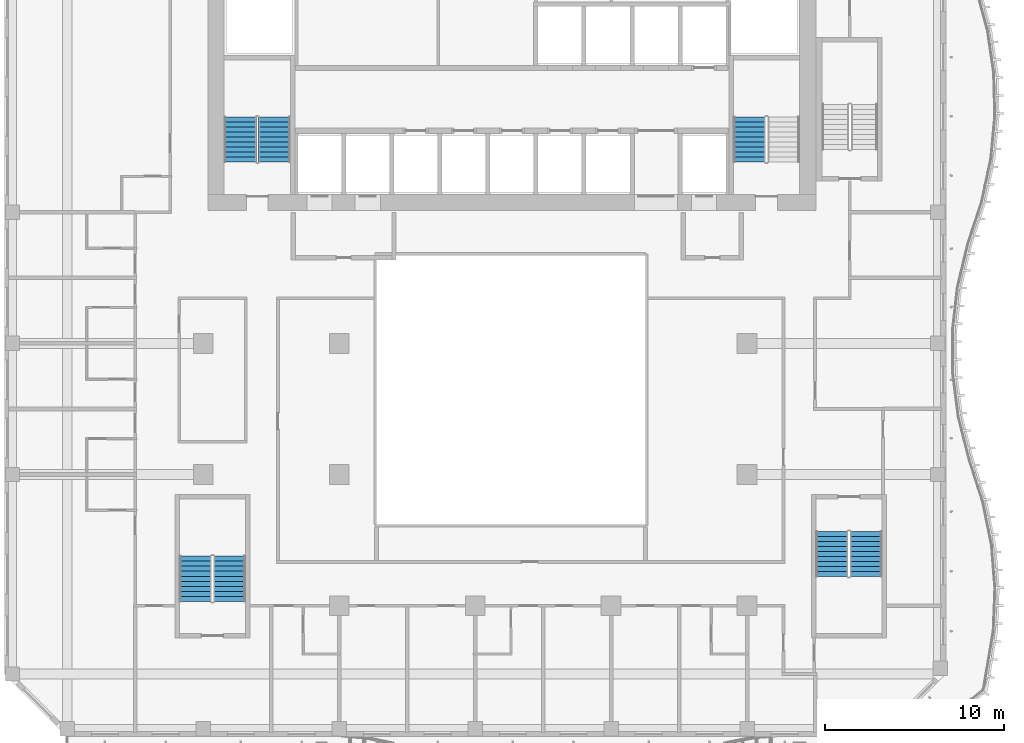
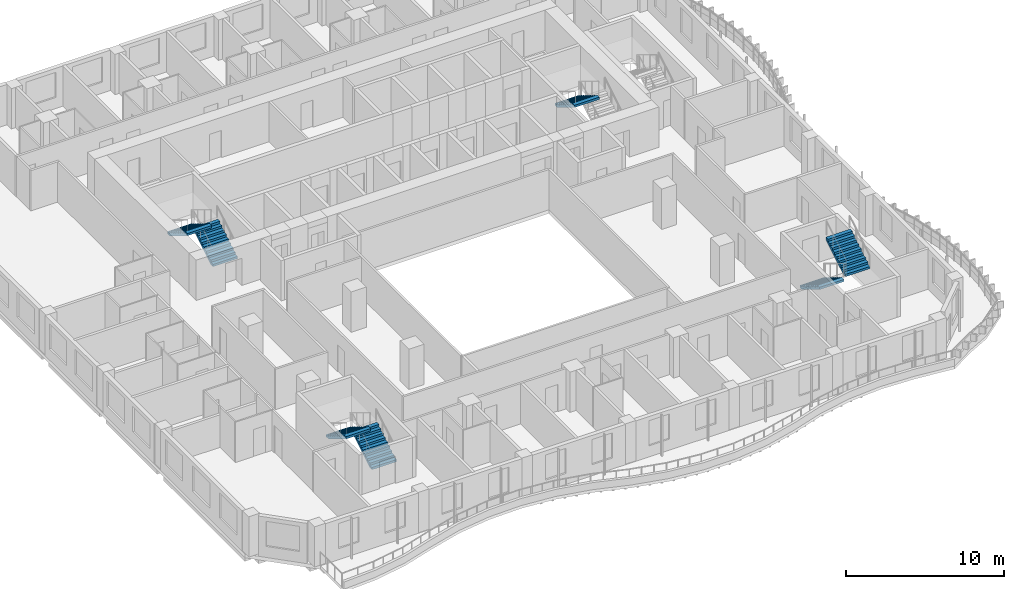
# One storey, part 11 of 21: 7 stair flights, 4 elements without a shape of their own.
"""IFC4 building model written with IfcOpenShell, lengths in metres."""

import ifcopenshell
import ifcopenshell.guid

model = None  # the IFC model being written
_history = None  # IfcOwnerHistory: only IFC2X3 demands one
_inside = {}  # id of a spatial element -> (the spatial element, [elements in it])
_under = {}  # id of a project, library or spatial element -> (it, [spatial elements below it])
_declared = {}  # id of a project -> (the project, [libraries it declares])
_typed = {}  # id of a type object -> (the type object, [elements of that type])
_made_of = {}  # id of a material, layer set ... -> (it, [elements and type objects made of it])


def new_model(schema):
    """Start an empty IFC model of exactly this schema.

    Asked for "IFC4X3", IfcOpenShell would pick the latest addendum, in which some entities
    have other attributes; the version numbers below select the first issue.
    IFC2X3 requires an IfcOwnerHistory on every rooted entity: one is made here for all.
    """
    global model, _history
    if schema == "IFC4X3":
        model = ifcopenshell.file(schema_version=(4, 3, 0, 0))
    else:
        model = ifcopenshell.file(schema=schema)
    _inside.clear()
    _under.clear()
    _declared.clear()
    _typed.clear()
    _made_of.clear()
    _history = None
    if model.schema == "IFC2X3":
        org = make("IfcOrganization", Name="unknown")
        user = make(
            "IfcPersonAndOrganization",
            ThePerson=make("IfcPerson", FamilyName="unknown"),
            TheOrganization=org,
        )
        app = make(
            "IfcApplication",
            ApplicationDeveloper=org,
            Version="unknown",
            ApplicationFullName="unknown",
            ApplicationIdentifier="unknown",
        )
        _history = make(
            "IfcOwnerHistory",
            OwningUser=user,
            OwningApplication=app,
            ChangeAction="ADDED",
            CreationDate=0,
        )
    return model


def make(cls, **values):
    """One entity of the class cls with the attributes given. An attribute that is None is left unset."""
    return model.create_entity(
        cls, **{name: value for name, value in values.items() if value is not None}
    )


def rooted(cls, **values):
    """An entity with a GlobalId (a new one), such as an element, a storey or a relation."""
    return make(cls, GlobalId=ifcopenshell.guid.new(), OwnerHistory=_history, **values)


def si_unit(unit_type, name, prefix=None):
    """IfcSIUnit, for example si_unit("LENGTHUNIT", "METRE", prefix="MILLI")."""
    return make("IfcSIUnit", UnitType=unit_type, Prefix=prefix, Name=name)


def assignment(units):
    """IfcUnitAssignment: the units of a project."""
    return None if units is None else make("IfcUnitAssignment", Units=units)


def point(xyz):
    """IfcCartesianPoint."""
    return None if xyz is None else make("IfcCartesianPoint", Coordinates=xyz)


def direction(xyz):
    """IfcDirection."""
    return None if xyz is None else make("IfcDirection", DirectionRatios=xyz)


def frame(location, z_axis=None, x_axis=None):
    """IfcAxis2Placement3D, a coordinate frame: its origin and axes. An axis left out is left unset."""
    return make(
        "IfcAxis2Placement3D",
        Location=point(location),
        Axis=direction(z_axis),
        RefDirection=direction(x_axis),
    )


def origin():
    """The frame at (0, 0, 0) with its axes left unset."""
    return frame((0.0, 0.0, 0.0))


def place(relative_to, where):
    """IfcLocalPlacement: puts the frame where relative to a parent placement (None: the world)."""
    return make(
        "IfcLocalPlacement", PlacementRelTo=relative_to, RelativePlacement=where
    )


def context(
    kind, dimensions, precision=None, world=None, true_north=None, identifier=None
):
    """IfcGeometricRepresentationContext, for example the 3D "Model" context."""
    return make(
        "IfcGeometricRepresentationContext",
        ContextIdentifier=identifier,
        ContextType=kind,
        CoordinateSpaceDimension=dimensions,
        Precision=precision,
        WorldCoordinateSystem=world,
        TrueNorth=true_north,
    )


def subcontext(parent, identifier, kind, view, scale=None):
    """IfcGeometricRepresentationSubContext, for example "Body" below "Model"."""
    return make(
        "IfcGeometricRepresentationSubContext",
        ContextIdentifier=identifier,
        ContextType=kind,
        ParentContext=parent,
        TargetScale=scale,
        TargetView=view,
    )


def project(units=None, contexts=None):
    """IfcProject with its units and contexts."""
    return rooted(
        "IfcProject",
        Name="project",
        RepresentationContexts=contexts,
        UnitsInContext=assignment(units),
    )


def spatial(cls, under=None, at=None, **own):
    """A site, building, storey or space (cls), placed at a placement, below another one or the project."""
    s = rooted(cls, ObjectPlacement=at, **own)
    if under is not None:
        _under.setdefault(under.id(), (under, []))[1].append(s)
    return s


def point_list(points):
    """IfcCartesianPointList2D or 3D."""
    cls = (
        "IfcCartesianPointList2D" if len(points[0]) == 2 else "IfcCartesianPointList3D"
    )
    return make(cls, CoordList=points)


def triangles(points, corners, closed=None, point_numbers=None):
    """IfcTriangulatedFaceSet: each triangle names its three corners, points numbered from 1."""
    return make(
        "IfcTriangulatedFaceSet",
        Coordinates=point_list(points),
        Closed=closed,
        CoordIndex=corners,
        PnIndex=point_numbers,
    )


def shape(context_of_items, identifier, shape_type, items):
    """IfcShapeRepresentation: the items that make up one representation, for example the "Body"."""
    return make(
        "IfcShapeRepresentation",
        ContextOfItems=context_of_items,
        RepresentationIdentifier=identifier,
        RepresentationType=shape_type,
        Items=items,
    )


def source(mapping_origin, context_of_items, identifier, shape_type, items):
    """IfcRepresentationMap: a shape defined once, which mapped items show again and again."""
    return make(
        "IfcRepresentationMap",
        MappingOrigin=mapping_origin,
        MappedRepresentation=shape(context_of_items, identifier, shape_type, items),
    )


def transform(
    local_origin,
    x_axis=None,
    y_axis=None,
    z_axis=None,
    scale=None,
    scale2=None,
    scale3=None,
    uniform=True,
):
    """IfcCartesianTransformationOperator3D, or its non-uniform kind. x_axis, y_axis, z_axis: its Axis1, 2, 3."""
    if uniform:
        return make(
            "IfcCartesianTransformationOperator3D",
            Axis1=direction(x_axis),
            Axis2=direction(y_axis),
            LocalOrigin=point(local_origin),
            Scale=scale,
            Axis3=direction(z_axis),
        )
    return make(
        "IfcCartesianTransformationOperator3DnonUniform",
        Axis1=direction(x_axis),
        Axis2=direction(y_axis),
        LocalOrigin=point(local_origin),
        Scale=scale,
        Axis3=direction(z_axis),
        Scale2=scale2,
        Scale3=scale3,
    )


def mapped(mapping_source, mapping_target):
    """IfcMappedItem: shows the shape of a source again, moved by a transform."""
    return make(
        "IfcMappedItem", MappingSource=mapping_source, MappingTarget=mapping_target
    )


def material(Name=None, Category=None):
    """IfcMaterial."""
    return make("IfcMaterial", Name=Name, Category=Category)


def made_of(thing, what):
    """Note that an element or type object is made of a material, layer set ...; save() writes the relation."""
    if what is not None:
        _made_of.setdefault(what.id(), (what, []))[1].append(thing)
    return thing


def type_object(cls, material=None, **own):
    """A type object (cls), such as IfcWallType, which elements share."""
    return made_of(rooted(cls, **own), material)


def element(
    cls,
    number,
    at=None,
    inside=None,
    cuts=None,
    type_object=None,
    material=None,
    context=None,
    identifier="Body",
    shape_type=None,
    held_by="IfcProductDefinitionShape",
    body=None,
    shapes=None,
    **own,
):
    """One element of the class cls, such as IfcWall. Its Tag is "e" and its number.

    at: its placement. inside: the storey or other place that contains it. cuts: it is an
    opening in that element (IfcRelVoidsElement). A single representation is given by context,
    identifier, shape_type and body (its items); several are given by shapes. held_by: the class
    of the entity that holds the representations. save() writes the other relations.
    """
    e = rooted(cls, Tag="e%d" % number, ObjectPlacement=at, **own)
    if body is not None:
        shapes = [shape(context, identifier, shape_type, body)]
    if shapes is not None:
        e.Representation = make(held_by, Representations=shapes)
    if inside is not None:
        _inside.setdefault(inside.id(), (inside, []))[1].append(e)
    if cuts is not None:
        rooted(
            "IfcRelVoidsElement", RelatingBuildingElement=cuts, RelatedOpeningElement=e
        )
    if type_object is not None:
        _typed.setdefault(type_object.id(), (type_object, []))[1].append(e)
    return made_of(e, material)


def aggregate(whole, parts):
    """IfcRelAggregates: a whole, such as a stair, and the parts it consists of."""
    return rooted("IfcRelAggregates", RelatingObject=whole, RelatedObjects=parts)


def save(model, path):
    """Write the relations noted so far, then the file.

    IfcRelAggregates (storeys below a building ...), IfcRelContainedInSpatialStructure (elements
    in a storey), IfcRelDefinesByType, IfcRelAssociatesMaterial and IfcRelDeclares: one each for
    every whole, place, type object, material and project.
    """
    for whole, parts in _under.values():
        aggregate(whole, parts)
    for where, things in _inside.values():
        rooted(
            "IfcRelContainedInSpatialStructure",
            RelatedElements=things,
            RelatingStructure=where,
        )
    for kind, things in _typed.values():
        rooted("IfcRelDefinesByType", RelatedObjects=things, RelatingType=kind)
    for what, things in _made_of.values():
        rooted("IfcRelAssociatesMaterial", RelatedObjects=things, RelatingMaterial=what)
    for by, libraries in _declared.values():
        rooted("IfcRelDeclares", RelatingContext=by, RelatedDefinitions=libraries)
    model.write(path)


model = new_model("IFC4")

# Units and contexts
model_context = context("Model", 3, precision=1e-05, world=origin(), true_north=direction((0.0, 1.0)))
body_context = subcontext(model_context, "Body", "Model", "MODEL_VIEW")
ifc_project = project(units=[si_unit("LENGTHUNIT", "METRE"), si_unit("AREAUNIT", "SQUARE_METRE"), si_unit("VOLUMEUNIT", "CUBIC_METRE"), si_unit("PLANEANGLEUNIT", "RADIAN"), si_unit("MASSUNIT", "GRAM", prefix="KILO")], contexts=[model_context])

# Site, building, storey
site_placement = place(None, origin())
site = spatial("IfcSite", under=ifc_project, at=site_placement, CompositionType="ELEMENT")
building_placement = place(site_placement, origin())
building = spatial("IfcBuilding", under=site, at=building_placement, Name="Kilnfold Tower and Market Hall", CompositionType="ELEMENT")
storey_placement = place(building_placement, frame((0.0, 0.0, 147.300048828125)))
storey = spatial("IfcBuildingStorey", under=building, at=storey_placement, Name="L33", CompositionType="ELEMENT", Elevation=147.300048828125)

# Stair, stair flights
ifc_material_1 = material(Name="Concrete C40/50", Category="concrete")
stair_type = type_object("IfcStairType", Name="CORE STAIR 1800", PredefinedType="HALF_TURN_STAIR", material=ifc_material_1)
stair_1_placement = place(storey_placement, origin())
stair_1 = element("IfcStair", 1, at=stair_1_placement, inside=storey, type_object=stair_type, Name="L33 ST1", PredefinedType="HALF_TURN_STAIR")
ifc_material_2 = material(Name="Concrete C40/50", Category="concrete")
stair_flight_type = type_object("IfcStairFlightType", Name="CORE STAIR FLIGHT 1800", PredefinedType="STRAIGHT", material=ifc_material_2)
shared_shape = source(origin(), body_context, "Body", "Tessellation", [
    triangles([(0.0, 0.89990234375, 0.0), (0.0, 0.78759765625, 0.0), (0.0, 0.675048828125, 0.0), (0.0, 0.5625, 0.0), (0.0, 0.449951171875, 0.0), (0.0, 0.33740234375, 0.0), (0.0, 0.22509765625, 0.0), (0.0, 0.112548828125, 0.0), (0.0, 0.0, 0.0), (0.0, -0.112548828125, 0.0), (0.0, -0.22509765625, 0.0), (0.0, -0.33740234375, 0.0), (0.0, -0.449951171875, 0.0), (0.0, -0.5625, 0.0), (0.0, -0.675048828125, 0.0), (0.0, -0.78759765625, 0.0), (0.0, -0.89990234375, 0.0), (0.0, 0.89990234375, 0.169921875), (0.0, 0.78759765625, 0.169921875), (0.0, 0.675048828125, 0.169921875), (0.0, 0.5625, 0.169921875), (0.0, 0.449951171875, 0.169921875), (0.0, 0.33740234375, 0.169921875), (0.0, 0.22509765625, 0.169921875), (0.0, 0.112548828125, 0.169921875), (0.0, 0.0, 0.169921875), (0.0, -0.112548828125, 0.169921875), (0.0, -0.22509765625, 0.169921875), (0.0, -0.33740234375, 0.169921875), (0.0, -0.449951171875, 0.169921875), (0.0, -0.5625, 0.169921875), (0.0, -0.675048828125, 0.169921875), (0.0, -0.78759765625, 0.169921875), (0.0, -0.89990234375, 0.169921875), (0.280029296875, 0.89990234375, 0.169921875), (0.280029296875, 0.78759765625, 0.169921875), (0.280029296875, 0.675048828125, 0.169921875), (0.280029296875, 0.5625, 0.169921875), (0.280029296875, 0.449951171875, 0.169921875), (0.280029296875, 0.33740234375, 0.169921875), (0.280029296875, 0.22509765625, 0.169921875), (0.280029296875, 0.112548828125, 0.169921875), (0.280029296875, 0.0, 0.169921875), (0.280029296875, -0.112548828125, 0.169921875), (0.280029296875, -0.22509765625, 0.169921875), (0.280029296875, -0.33740234375, 0.169921875), (0.280029296875, -0.449951171875, 0.169921875), (0.280029296875, -0.5625, 0.169921875), (0.280029296875, -0.675048828125, 0.169921875), (0.280029296875, -0.78759765625, 0.169921875), (0.280029296875, -0.89990234375, 0.169921875), (0.280029296875, 0.89990234375, 0.340087890625), (0.280029296875, 0.78759765625, 0.340087890625), (0.280029296875, 0.675048828125, 0.340087890625), (0.280029296875, 0.5625, 0.340087890625), (0.280029296875, 0.449951171875, 0.340087890625), (0.280029296875, 0.33740234375, 0.340087890625), (0.280029296875, 0.22509765625, 0.340087890625), (0.280029296875, 0.112548828125, 0.340087890625), (0.280029296875, 0.0, 0.340087890625), (0.280029296875, -0.112548828125, 0.340087890625), (0.280029296875, -0.22509765625, 0.340087890625), (0.280029296875, -0.33740234375, 0.340087890625), (0.280029296875, -0.449951171875, 0.340087890625), (0.280029296875, -0.5625, 0.340087890625), (0.280029296875, -0.675048828125, 0.340087890625), (0.280029296875, -0.78759765625, 0.340087890625), (0.280029296875, -0.89990234375, 0.340087890625), (0.56005859375, 0.89990234375, 0.340087890625), (0.56005859375, 0.78759765625, 0.340087890625), (0.56005859375, 0.675048828125, 0.340087890625), (0.56005859375, 0.5625, 0.340087890625), (0.56005859375, 0.449951171875, 0.340087890625), (0.56005859375, 0.33740234375, 0.340087890625), (0.56005859375, 0.22509765625, 0.340087890625), (0.56005859375, 0.112548828125, 0.340087890625), (0.56005859375, 0.0, 0.340087890625), (0.56005859375, -0.112548828125, 0.340087890625), (0.56005859375, -0.22509765625, 0.340087890625), (0.56005859375, -0.33740234375, 0.340087890625), (0.56005859375, -0.449951171875, 0.340087890625), (0.56005859375, -0.5625, 0.340087890625), (0.56005859375, -0.675048828125, 0.340087890625), (0.56005859375, -0.78759765625, 0.340087890625), (0.56005859375, -0.89990234375, 0.340087890625), (0.56005859375, 0.89990234375, 0.510009765625), (0.56005859375, 0.78759765625, 0.510009765625), (0.56005859375, 0.675048828125, 0.510009765625), (0.56005859375, 0.5625, 0.510009765625), (0.56005859375, 0.449951171875, 0.510009765625), (0.56005859375, 0.33740234375, 0.510009765625), (0.56005859375, 0.22509765625, 0.510009765625), (0.56005859375, 0.112548828125, 0.510009765625), (0.56005859375, 0.0, 0.510009765625), (0.56005859375, -0.112548828125, 0.510009765625), (0.56005859375, -0.22509765625, 0.510009765625), (0.56005859375, -0.33740234375, 0.510009765625), (0.56005859375, -0.449951171875, 0.510009765625), (0.56005859375, -0.5625, 0.510009765625), (0.56005859375, -0.675048828125, 0.510009765625), (0.56005859375, -0.78759765625, 0.510009765625), (0.56005859375, -0.89990234375, 0.510009765625), (0.840087890625, 0.89990234375, 0.510009765625), (0.840087890625, 0.78759765625, 0.510009765625), (0.840087890625, 0.675048828125, 0.510009765625), (0.840087890625, 0.5625, 0.510009765625), (0.840087890625, 0.449951171875, 0.510009765625), (0.840087890625, 0.33740234375, 0.510009765625), (0.840087890625, 0.22509765625, 0.510009765625), (0.840087890625, 0.112548828125, 0.510009765625), (0.840087890625, 0.0, 0.510009765625), (0.840087890625, -0.112548828125, 0.510009765625), (0.840087890625, -0.22509765625, 0.510009765625), (0.840087890625, -0.33740234375, 0.510009765625), (0.840087890625, -0.449951171875, 0.510009765625), (0.840087890625, -0.5625, 0.510009765625), (0.840087890625, -0.675048828125, 0.510009765625), (0.840087890625, -0.78759765625, 0.510009765625), (0.840087890625, -0.89990234375, 0.510009765625), (0.840087890625, 0.89990234375, 0.679931640625), (0.840087890625, 0.78759765625, 0.679931640625), (0.840087890625, 0.675048828125, 0.679931640625), (0.840087890625, 0.5625, 0.679931640625), (0.840087890625, 0.449951171875, 0.679931640625), (0.840087890625, 0.33740234375, 0.679931640625), (0.840087890625, 0.22509765625, 0.679931640625), (0.840087890625, 0.112548828125, 0.679931640625), (0.840087890625, 0.0, 0.679931640625), (0.840087890625, -0.112548828125, 0.679931640625), (0.840087890625, -0.22509765625, 0.679931640625), (0.840087890625, -0.33740234375, 0.679931640625), (0.840087890625, -0.449951171875, 0.679931640625), (0.840087890625, -0.5625, 0.679931640625), (0.840087890625, -0.675048828125, 0.679931640625), (0.840087890625, -0.78759765625, 0.679931640625), (0.840087890625, -0.89990234375, 0.679931640625), (1.1201171875, 0.89990234375, 0.679931640625), (1.1201171875, 0.78759765625, 0.679931640625), (1.1201171875, 0.675048828125, 0.679931640625), (1.1201171875, 0.5625, 0.679931640625), (1.1201171875, 0.449951171875, 0.679931640625), (1.1201171875, 0.33740234375, 0.679931640625), (1.1201171875, 0.22509765625, 0.679931640625), (1.1201171875, 0.112548828125, 0.679931640625), (1.1201171875, 0.0, 0.679931640625), (1.1201171875, -0.112548828125, 0.679931640625), (1.1201171875, -0.22509765625, 0.679931640625), (1.1201171875, -0.33740234375, 0.679931640625), (1.1201171875, -0.449951171875, 0.679931640625), (1.1201171875, -0.5625, 0.679931640625), (1.1201171875, -0.675048828125, 0.679931640625), (1.1201171875, -0.78759765625, 0.679931640625), (1.1201171875, -0.89990234375, 0.679931640625), (1.1201171875, 0.89990234375, 0.85009765625), (1.1201171875, 0.78759765625, 0.85009765625), (1.1201171875, 0.675048828125, 0.85009765625), (1.1201171875, 0.5625, 0.85009765625), (1.1201171875, 0.449951171875, 0.85009765625), (1.1201171875, 0.33740234375, 0.85009765625), (1.1201171875, 0.22509765625, 0.85009765625), (1.1201171875, 0.112548828125, 0.85009765625), (1.1201171875, 0.0, 0.85009765625), (1.1201171875, -0.112548828125, 0.85009765625), (1.1201171875, -0.22509765625, 0.85009765625), (1.1201171875, -0.33740234375, 0.85009765625), (1.1201171875, -0.449951171875, 0.85009765625), (1.1201171875, -0.5625, 0.85009765625), (1.1201171875, -0.675048828125, 0.85009765625), (1.1201171875, -0.78759765625, 0.85009765625), (1.1201171875, -0.89990234375, 0.85009765625), (1.39990234375, 0.89990234375, 0.85009765625), (1.39990234375, 0.78759765625, 0.85009765625), (1.39990234375, 0.675048828125, 0.85009765625), (1.39990234375, 0.5625, 0.85009765625), (1.39990234375, 0.449951171875, 0.85009765625), (1.39990234375, 0.33740234375, 0.85009765625), (1.39990234375, 0.22509765625, 0.85009765625), (1.39990234375, 0.112548828125, 0.85009765625), (1.39990234375, 0.0, 0.85009765625), (1.39990234375, -0.112548828125, 0.85009765625), (1.39990234375, -0.22509765625, 0.85009765625), (1.39990234375, -0.33740234375, 0.85009765625), (1.39990234375, -0.449951171875, 0.85009765625), (1.39990234375, -0.5625, 0.85009765625), (1.39990234375, -0.675048828125, 0.85009765625), (1.39990234375, -0.78759765625, 0.85009765625), (1.39990234375, -0.89990234375, 0.85009765625), (1.39990234375, 0.89990234375, 1.02001953125), (1.39990234375, 0.78759765625, 1.02001953125), (1.39990234375, 0.675048828125, 1.02001953125), (1.39990234375, 0.5625, 1.02001953125), (1.39990234375, 0.449951171875, 1.02001953125), (1.39990234375, 0.33740234375, 1.02001953125), (1.39990234375, 0.22509765625, 1.02001953125), (1.39990234375, 0.112548828125, 1.02001953125), (1.39990234375, 0.0, 1.02001953125), (1.39990234375, -0.112548828125, 1.02001953125), (1.39990234375, -0.22509765625, 1.02001953125), (1.39990234375, -0.33740234375, 1.02001953125), (1.39990234375, -0.449951171875, 1.02001953125), (1.39990234375, -0.5625, 1.02001953125), (1.39990234375, -0.675048828125, 1.02001953125), (1.39990234375, -0.78759765625, 1.02001953125), (1.39990234375, -0.89990234375, 1.02001953125), (1.679931640625, 0.89990234375, 1.02001953125), (1.679931640625, 0.78759765625, 1.02001953125), (1.679931640625, 0.675048828125, 1.02001953125), (1.679931640625, 0.5625, 1.02001953125), (1.679931640625, 0.449951171875, 1.02001953125), (1.679931640625, 0.33740234375, 1.02001953125), (1.679931640625, 0.22509765625, 1.02001953125), (1.679931640625, 0.112548828125, 1.02001953125), (1.679931640625, 0.0, 1.02001953125), (1.679931640625, -0.112548828125, 1.02001953125), (1.679931640625, -0.22509765625, 1.02001953125), (1.679931640625, -0.33740234375, 1.02001953125), (1.679931640625, -0.449951171875, 1.02001953125), (1.679931640625, -0.5625, 1.02001953125), (1.679931640625, -0.675048828125, 1.02001953125), (1.679931640625, -0.78759765625, 1.02001953125), (1.679931640625, -0.89990234375, 1.02001953125), (1.679931640625, 0.89990234375, 1.18994140625), (1.679931640625, 0.78759765625, 1.18994140625), (1.679931640625, 0.675048828125, 1.18994140625), (1.679931640625, 0.5625, 1.18994140625), (1.679931640625, 0.449951171875, 1.18994140625), (1.679931640625, 0.33740234375, 1.18994140625), (1.679931640625, 0.22509765625, 1.18994140625), (1.679931640625, 0.112548828125, 1.18994140625), (1.679931640625, 0.0, 1.18994140625), (1.679931640625, -0.112548828125, 1.18994140625), (1.679931640625, -0.22509765625, 1.18994140625), (1.679931640625, -0.33740234375, 1.18994140625), (1.679931640625, -0.449951171875, 1.18994140625), (1.679931640625, -0.5625, 1.18994140625), (1.679931640625, -0.675048828125, 1.18994140625), (1.679931640625, -0.78759765625, 1.18994140625), (1.679931640625, -0.89990234375, 1.18994140625), (1.9599609375, 0.89990234375, 1.18994140625), (1.9599609375, 0.78759765625, 1.18994140625), (1.9599609375, 0.675048828125, 1.18994140625), (1.9599609375, 0.5625, 1.18994140625), (1.9599609375, 0.449951171875, 1.18994140625), (1.9599609375, 0.33740234375, 1.18994140625), (1.9599609375, 0.22509765625, 1.18994140625), (1.9599609375, 0.112548828125, 1.18994140625), (1.9599609375, 0.0, 1.18994140625), (1.9599609375, -0.112548828125, 1.18994140625), (1.9599609375, -0.22509765625, 1.18994140625), (1.9599609375, -0.33740234375, 1.18994140625), (1.9599609375, -0.449951171875, 1.18994140625), (1.9599609375, -0.5625, 1.18994140625), (1.9599609375, -0.675048828125, 1.18994140625), (1.9599609375, -0.78759765625, 1.18994140625), (1.9599609375, -0.89990234375, 1.18994140625), (1.9599609375, 0.89990234375, 1.360107421875), (1.9599609375, 0.78759765625, 1.360107421875), (1.9599609375, 0.675048828125, 1.360107421875), (1.9599609375, 0.5625, 1.360107421875), (1.9599609375, 0.449951171875, 1.360107421875), (1.9599609375, 0.33740234375, 1.360107421875), (1.9599609375, 0.22509765625, 1.360107421875), (1.9599609375, 0.112548828125, 1.360107421875), (1.9599609375, 0.0, 1.360107421875), (1.9599609375, -0.112548828125, 1.360107421875), (1.9599609375, -0.22509765625, 1.360107421875), (1.9599609375, -0.33740234375, 1.360107421875), (1.9599609375, -0.449951171875, 1.360107421875), (1.9599609375, -0.5625, 1.360107421875), (1.9599609375, -0.675048828125, 1.360107421875), (1.9599609375, -0.78759765625, 1.360107421875), (1.9599609375, -0.89990234375, 1.360107421875), (2.239990234375, 0.89990234375, 1.360107421875), (2.239990234375, 0.78759765625, 1.360107421875), (2.239990234375, 0.675048828125, 1.360107421875), (2.239990234375, 0.5625, 1.360107421875), (2.239990234375, 0.449951171875, 1.360107421875), (2.239990234375, 0.33740234375, 1.360107421875), (2.239990234375, 0.22509765625, 1.360107421875), (2.239990234375, 0.112548828125, 1.360107421875), (2.239990234375, 0.0, 1.360107421875), (2.239990234375, -0.112548828125, 1.360107421875), (2.239990234375, -0.22509765625, 1.360107421875), (2.239990234375, -0.33740234375, 1.360107421875), (2.239990234375, -0.449951171875, 1.360107421875), (2.239990234375, -0.5625, 1.360107421875), (2.239990234375, -0.675048828125, 1.360107421875), (2.239990234375, -0.78759765625, 1.360107421875), (2.239990234375, -0.89990234375, 1.360107421875), (2.239990234375, 0.89990234375, 1.530029296875), (2.239990234375, 0.78759765625, 1.530029296875), (2.239990234375, 0.675048828125, 1.530029296875), (2.239990234375, 0.5625, 1.530029296875), (2.239990234375, 0.449951171875, 1.530029296875), (2.239990234375, 0.33740234375, 1.530029296875), (2.239990234375, 0.22509765625, 1.530029296875), (2.239990234375, 0.112548828125, 1.530029296875), (2.239990234375, 0.0, 1.530029296875), (2.239990234375, -0.112548828125, 1.530029296875), (2.239990234375, -0.22509765625, 1.530029296875), (2.239990234375, -0.33740234375, 1.530029296875), (2.239990234375, -0.449951171875, 1.530029296875), (2.239990234375, -0.5625, 1.530029296875), (2.239990234375, -0.675048828125, 1.530029296875), (2.239990234375, -0.78759765625, 1.530029296875), (2.239990234375, -0.89990234375, 1.530029296875), (2.52001953125, 0.89990234375, 1.530029296875), (2.52001953125, 0.78759765625, 1.530029296875), (2.52001953125, 0.675048828125, 1.530029296875), (2.52001953125, 0.5625, 1.530029296875), (2.52001953125, 0.449951171875, 1.530029296875), (2.52001953125, 0.33740234375, 1.530029296875), (2.52001953125, 0.22509765625, 1.530029296875), (2.52001953125, 0.112548828125, 1.530029296875), (2.52001953125, 0.0, 1.530029296875), (2.52001953125, -0.112548828125, 1.530029296875), (2.52001953125, -0.22509765625, 1.530029296875), (2.52001953125, -0.33740234375, 1.530029296875), (2.52001953125, -0.449951171875, 1.530029296875), (2.52001953125, -0.5625, 1.530029296875), (2.52001953125, -0.675048828125, 1.530029296875), (2.52001953125, -0.78759765625, 1.530029296875), (2.52001953125, -0.89990234375, 1.530029296875), (2.52001953125, 0.89990234375, 1.354736328125), (2.52001953125, 0.78759765625, 1.354736328125), (2.52001953125, 0.675048828125, 1.354736328125), (2.52001953125, 0.5625, 1.354736328125), (2.52001953125, 0.449951171875, 1.354736328125), (2.52001953125, 0.33740234375, 1.354736328125), (2.52001953125, 0.22509765625, 1.354736328125), (2.52001953125, 0.112548828125, 1.354736328125), (2.52001953125, 0.0, 1.354736328125), (2.52001953125, -0.112548828125, 1.354736328125), (2.52001953125, -0.22509765625, 1.354736328125), (2.52001953125, -0.33740234375, 1.354736328125), (2.52001953125, -0.449951171875, 1.354736328125), (2.52001953125, -0.5625, 1.354736328125), (2.52001953125, -0.675048828125, 1.354736328125), (2.52001953125, -0.78759765625, 1.354736328125), (2.52001953125, -0.89990234375, 1.354736328125), (0.288818359375, 0.89990234375, 0.0), (0.288818359375, 0.78759765625, 0.0), (0.288818359375, 0.675048828125, 0.0), (0.288818359375, 0.5625, 0.0), (0.288818359375, 0.449951171875, 0.0), (0.288818359375, 0.33740234375, 0.0), (0.288818359375, 0.22509765625, 0.0), (0.288818359375, 0.112548828125, 0.0), (0.288818359375, 0.0, 0.0), (0.288818359375, -0.112548828125, 0.0), (0.288818359375, -0.22509765625, 0.0), (0.288818359375, -0.33740234375, 0.0), (0.288818359375, -0.449951171875, 0.0), (0.288818359375, -0.5625, 0.0), (0.288818359375, -0.675048828125, 0.0), (0.288818359375, -0.78759765625, 0.0), (0.288818359375, -0.89990234375, 0.0)], [[1, 324, 341], [17, 357, 340], [324, 290, 307], [340, 323, 306], [324, 273, 290], [340, 306, 289], [324, 256, 273], [340, 289, 272], [324, 239, 256], [340, 272, 255], [239, 205, 222], [255, 238, 221], [324, 205, 239], [340, 255, 221], [205, 171, 188], [221, 204, 187], [324, 171, 205], [340, 221, 187], [171, 137, 154], [187, 170, 153], [324, 137, 171], [340, 187, 153], [137, 103, 120], [153, 136, 119], [324, 103, 137], [340, 153, 119], [103, 69, 86], [119, 102, 85], [324, 69, 103], [340, 119, 85], [69, 35, 52], [85, 68, 51], [324, 35, 69], [340, 85, 51], [1, 35, 324], [17, 340, 51], [35, 1, 18], [51, 34, 17], [1, 19, 18], [1, 2, 19], [2, 20, 19], [2, 3, 20], [3, 21, 20], [3, 4, 21], [4, 22, 21], [4, 5, 22], [5, 23, 22], [5, 6, 23], [6, 24, 23], [6, 7, 24], [7, 25, 24], [7, 8, 25], [8, 26, 25], [8, 9, 26], [9, 27, 26], [9, 10, 27], [10, 28, 27], [10, 11, 28], [11, 29, 28], [11, 12, 29], [12, 30, 29], [12, 13, 30], [13, 31, 30], [13, 14, 31], [14, 32, 31], [14, 15, 32], [15, 33, 32], [15, 16, 33], [16, 34, 33], [16, 17, 34], [18, 36, 35], [18, 19, 36], [19, 37, 36], [19, 20, 37], [20, 38, 37], [20, 21, 38], [21, 39, 38], [21, 22, 39], [22, 40, 39], [22, 23, 40], [23, 41, 40], [23, 24, 41], [24, 42, 41], [24, 25, 42], [25, 43, 42], [25, 26, 43], [26, 44, 43], [26, 27, 44], [27, 45, 44], [27, 28, 45], [28, 46, 45], [28, 29, 46], [29, 47, 46], [29, 30, 47], [30, 48, 47], [30, 31, 48], [31, 49, 48], [31, 32, 49], [32, 50, 49], [32, 33, 50], [33, 51, 50], [33, 34, 51], [35, 53, 52], [35, 36, 53], [36, 54, 53], [36, 37, 54], [37, 55, 54], [37, 38, 55], [38, 56, 55], [38, 39, 56], [39, 57, 56], [39, 40, 57], [40, 58, 57], [40, 41, 58], [41, 59, 58], [41, 42, 59], [42, 60, 59], [42, 43, 60], [43, 61, 60], [43, 44, 61], [44, 62, 61], [44, 45, 62], [45, 63, 62], [45, 46, 63], [46, 64, 63], [46, 47, 64], [47, 65, 64], [47, 48, 65], [48, 66, 65], [48, 49, 66], [49, 67, 66], [49, 50, 67], [50, 68, 67], [50, 51, 68], [52, 70, 69], [52, 53, 70], [53, 71, 70], [53, 54, 71], [54, 72, 71], [54, 55, 72], [55, 73, 72], [55, 56, 73], [56, 74, 73], [56, 57, 74], [57, 75, 74], [57, 58, 75], [58, 76, 75], [58, 59, 76], [59, 77, 76], [59, 60, 77], [60, 78, 77], [60, 61, 78], [61, 79, 78], [61, 62, 79], [62, 80, 79], [62, 63, 80], [63, 81, 80], [63, 64, 81], [64, 82, 81], [64, 65, 82], [65, 83, 82], [65, 66, 83], [66, 84, 83], [66, 67, 84], [67, 85, 84], [67, 68, 85], [69, 87, 86], [69, 70, 87], [70, 88, 87], [70, 71, 88], [71, 89, 88], [71, 72, 89], [72, 90, 89], [72, 73, 90], [73, 91, 90], [73, 74, 91], [74, 92, 91], [74, 75, 92], [75, 93, 92], [75, 76, 93], [76, 94, 93], [76, 77, 94], [77, 95, 94], [77, 78, 95], [78, 96, 95], [78, 79, 96], [79, 97, 96], [79, 80, 97], [80, 98, 97], [80, 81, 98], [81, 99, 98], [81, 82, 99], [82, 100, 99], [82, 83, 100], [83, 101, 100], [83, 84, 101], [84, 102, 101], [84, 85, 102], [86, 104, 103], [86, 87, 104], [87, 105, 104], [87, 88, 105], [88, 106, 105], [88, 89, 106], [89, 107, 106], [89, 90, 107], [90, 108, 107], [90, 91, 108], [91, 109, 108], [91, 92, 109], [92, 110, 109], [92, 93, 110], [93, 111, 110], [93, 94, 111], [94, 112, 111], [94, 95, 112], [95, 113, 112], [95, 96, 113], [96, 114, 113], [96, 97, 114], [97, 115, 114], [97, 98, 115], [98, 116, 115], [98, 99, 116], [99, 117, 116], [99, 100, 117], [100, 118, 117], [100, 101, 118], [101, 119, 118], [101, 102, 119], [103, 121, 120], [103, 104, 121], [104, 122, 121], [104, 105, 122], [105, 123, 122], [105, 106, 123], [106, 124, 123], [106, 107, 124], [107, 125, 124], [107, 108, 125], [108, 126, 125], [108, 109, 126], [109, 127, 126], [109, 110, 127], [110, 128, 127], [110, 111, 128], [111, 129, 128], [111, 112, 129], [112, 130, 129], [112, 113, 130], [113, 131, 130], [113, 114, 131], [114, 132, 131], [114, 115, 132], [115, 133, 132], [115, 116, 133], [116, 134, 133], [116, 117, 134], [117, 135, 134], [117, 118, 135], [118, 136, 135], [118, 119, 136], [120, 138, 137], [120, 121, 138], [121, 139, 138], [121, 122, 139], [122, 140, 139], [122, 123, 140], [123, 141, 140], [123, 124, 141], [124, 142, 141], [124, 125, 142], [125, 143, 142], [125, 126, 143], [126, 144, 143], [126, 127, 144], [127, 145, 144], [127, 128, 145], [128, 146, 145], [128, 129, 146], [129, 147, 146], [129, 130, 147], [130, 148, 147], [130, 131, 148], [131, 149, 148], [131, 132, 149], [132, 150, 149], [132, 133, 150], [133, 151, 150], [133, 134, 151], [134, 152, 151], [134, 135, 152], [135, 153, 152], [135, 136, 153], [137, 155, 154], [137, 138, 155], [138, 156, 155], [138, 139, 156], [139, 157, 156], [139, 140, 157], [140, 158, 157], [140, 141, 158], [141, 159, 158], [141, 142, 159], [142, 160, 159], [142, 143, 160], [143, 161, 160], [143, 144, 161], [144, 162, 161], [144, 145, 162], [145, 163, 162], [145, 146, 163], [146, 164, 163], [146, 147, 164], [147, 165, 164], [147, 148, 165], [148, 166, 165], [148, 149, 166], [149, 167, 166], [149, 150, 167], [150, 168, 167], [150, 151, 168], [151, 169, 168], [151, 152, 169], [152, 170, 169], [152, 153, 170], [154, 172, 171], [154, 155, 172], [155, 173, 172], [155, 156, 173], [156, 174, 173], [156, 157, 174], [157, 175, 174], [157, 158, 175], [158, 176, 175], [158, 159, 176], [159, 177, 176], [159, 160, 177], [160, 178, 177], [160, 161, 178], [161, 179, 178], [161, 162, 179], [162, 180, 179], [162, 163, 180], [163, 181, 180], [163, 164, 181], [164, 182, 181], [164, 165, 182], [165, 183, 182], [165, 166, 183], [166, 184, 183], [166, 167, 184], [167, 185, 184], [167, 168, 185], [168, 186, 185], [168, 169, 186], [169, 187, 186], [169, 170, 187], [171, 189, 188], [171, 172, 189], [172, 190, 189], [172, 173, 190], [173, 191, 190], [173, 174, 191], [174, 192, 191], [174, 175, 192], [175, 193, 192], [175, 176, 193], [176, 194, 193], [176, 177, 194], [177, 195, 194], [177, 178, 195], [178, 196, 195], [178, 179, 196], [179, 197, 196], [179, 180, 197], [180, 198, 197], [180, 181, 198], [181, 199, 198], [181, 182, 199], [182, 200, 199], [182, 183, 200], [183, 201, 200], [183, 184, 201], [184, 202, 201], [184, 185, 202], [185, 203, 202], [185, 186, 203], [186, 204, 203], [186, 187, 204], [188, 206, 205], [188, 189, 206], [189, 207, 206], [189, 190, 207], [190, 208, 207], [190, 191, 208], [191, 209, 208], [191, 192, 209], [192, 210, 209], [192, 193, 210], [193, 211, 210], [193, 194, 211], [194, 212, 211], [194, 195, 212], [195, 213, 212], [195, 196, 213], [196, 214, 213], [196, 197, 214], [197, 215, 214], [197, 198, 215], [198, 216, 215], [198, 199, 216], [199, 217, 216], [199, 200, 217], [200, 218, 217], [200, 201, 218], [201, 219, 218], [201, 202, 219], [202, 220, 219], [202, 203, 220], [203, 221, 220], [203, 204, 221], [205, 223, 222], [205, 206, 223], [206, 224, 223], [206, 207, 224], [207, 225, 224], [207, 208, 225], [208, 226, 225], [208, 209, 226], [209, 227, 226], [209, 210, 227], [210, 228, 227], [210, 211, 228], [211, 229, 228], [211, 212, 229], [212, 230, 229], [212, 213, 230], [213, 231, 230], [213, 214, 231], [214, 232, 231], [214, 215, 232], [215, 233, 232], [215, 216, 233], [216, 234, 233], [216, 217, 234], [217, 235, 234], [217, 218, 235], [218, 236, 235], [218, 219, 236], [219, 237, 236], [219, 220, 237], [220, 238, 237], [220, 221, 238], [222, 240, 239], [222, 223, 240], [223, 241, 240], [223, 224, 241], [224, 242, 241], [224, 225, 242], [225, 243, 242], [225, 226, 243], [226, 244, 243], [226, 227, 244], [227, 245, 244], [227, 228, 245], [228, 246, 245], [228, 229, 246], [229, 247, 246], [229, 230, 247], [230, 248, 247], [230, 231, 248], [231, 249, 248], [231, 232, 249], [232, 250, 249], [232, 233, 250], [233, 251, 250], [233, 234, 251], [234, 252, 251], [234, 235, 252], [235, 253, 252], [235, 236, 253], [236, 254, 253], [236, 237, 254], [237, 255, 254], [237, 238, 255], [239, 257, 256], [239, 240, 257], [240, 258, 257], [240, 241, 258], [241, 259, 258], [241, 242, 259], [242, 260, 259], [242, 243, 260], [243, 261, 260], [243, 244, 261], [244, 262, 261], [244, 245, 262], [245, 263, 262], [245, 246, 263], [246, 264, 263], [246, 247, 264], [247, 265, 264], [247, 248, 265], [248, 266, 265], [248, 249, 266], [249, 267, 266], [249, 250, 267], [250, 268, 267], [250, 251, 268], [251, 269, 268], [251, 252, 269], [252, 270, 269], [252, 253, 270], [253, 271, 270], [253, 254, 271], [254, 272, 271], [254, 255, 272], [256, 274, 273], [256, 257, 274], [257, 275, 274], [257, 258, 275], [258, 276, 275], [258, 259, 276], [259, 277, 276], [259, 260, 277], [260, 278, 277], [260, 261, 278], [261, 279, 278], [261, 262, 279], [262, 280, 279], [262, 263, 280], [263, 281, 280], [263, 264, 281], [264, 282, 281], [264, 265, 282], [265, 283, 282], [265, 266, 283], [266, 284, 283], [266, 267, 284], [267, 285, 284], [267, 268, 285], [268, 286, 285], [268, 269, 286], [269, 287, 286], [269, 270, 287], [270, 288, 287], [270, 271, 288], [271, 289, 288], [271, 272, 289], [273, 291, 290], [273, 274, 291], [274, 292, 291], [274, 275, 292], [275, 293, 292], [275, 276, 293], [276, 294, 293], [276, 277, 294], [277, 295, 294], [277, 278, 295], [278, 296, 295], [278, 279, 296], [279, 297, 296], [279, 280, 297], [280, 298, 297], [280, 281, 298], [281, 299, 298], [281, 282, 299], [282, 300, 299], [282, 283, 300], [283, 301, 300], [283, 284, 301], [284, 302, 301], [284, 285, 302], [285, 303, 302], [285, 286, 303], [286, 304, 303], [286, 287, 304], [287, 305, 304], [287, 288, 305], [288, 306, 305], [288, 289, 306], [290, 308, 307], [290, 291, 308], [291, 309, 308], [291, 292, 309], [292, 310, 309], [292, 293, 310], [293, 311, 310], [293, 294, 311], [294, 312, 311], [294, 295, 312], [295, 313, 312], [295, 296, 313], [296, 314, 313], [296, 297, 314], [297, 315, 314], [297, 298, 315], [298, 316, 315], [298, 299, 316], [299, 317, 316], [299, 300, 317], [300, 318, 317], [300, 301, 318], [301, 319, 318], [301, 302, 319], [302, 320, 319], [302, 303, 320], [303, 321, 320], [303, 304, 321], [304, 322, 321], [304, 305, 322], [305, 323, 322], [305, 306, 323], [307, 325, 324], [307, 308, 325], [308, 326, 325], [308, 309, 326], [309, 327, 326], [309, 310, 327], [310, 328, 327], [310, 311, 328], [311, 329, 328], [311, 312, 329], [312, 330, 329], [312, 313, 330], [313, 331, 330], [313, 314, 331], [314, 332, 331], [314, 315, 332], [315, 333, 332], [315, 316, 333], [316, 334, 333], [316, 317, 334], [317, 335, 334], [317, 318, 335], [318, 336, 335], [318, 319, 336], [319, 337, 336], [319, 320, 337], [320, 338, 337], [320, 321, 338], [321, 339, 338], [321, 322, 339], [322, 340, 339], [322, 323, 340], [324, 342, 341], [324, 325, 342], [325, 343, 342], [325, 326, 343], [326, 344, 343], [326, 327, 344], [327, 345, 344], [327, 328, 345], [328, 346, 345], [328, 329, 346], [329, 347, 346], [329, 330, 347], [330, 348, 347], [330, 331, 348], [331, 349, 348], [331, 332, 349], [332, 350, 349], [332, 333, 350], [333, 351, 350], [333, 334, 351], [334, 352, 351], [334, 335, 352], [335, 353, 352], [335, 336, 353], [336, 354, 353], [336, 337, 354], [337, 355, 354], [337, 338, 355], [338, 356, 355], [338, 339, 356], [339, 357, 356], [339, 340, 357], [341, 2, 1], [341, 342, 2], [342, 3, 2], [342, 343, 3], [343, 4, 3], [343, 344, 4], [344, 5, 4], [344, 345, 5], [345, 6, 5], [345, 346, 6], [346, 7, 6], [346, 347, 7], [347, 8, 7], [347, 348, 8], [348, 9, 8], [348, 349, 9], [349, 10, 9], [349, 350, 10], [350, 11, 10], [350, 351, 11], [351, 12, 11], [351, 352, 12], [352, 13, 12], [352, 353, 13], [353, 14, 13], [353, 354, 14], [354, 15, 14], [354, 355, 15], [355, 16, 15], [355, 356, 16], [356, 17, 16], [356, 357, 17]], closed=True),
])
stair_flight_1_placement = place(storey_placement, frame((-12.199951171875, 10.800048828125, 0.0), z_axis=(0.0, 0.0, 1.0), x_axis=(0.0, 1.0, 0.0)))
stair_flight_1 = element("IfcStairFlight", 2, at=stair_flight_1_placement, type_object=stair_flight_type, Name="ST1 flight 1", NumberOfRisers=10, NumberOfTreads=9, PredefinedType="STRAIGHT", RiserHeight=0.17, TreadLength=0.28, context=body_context, shape_type="MappedRepresentation", body=[
    mapped(shared_shape, transform((0.0, 0.0, 0.0))),
])
stair_flight_2_placement = place(storey_placement, frame((-14.10009765625, 13.320068359375, 1.699951171875), z_axis=(0.0, 0.0, 1.0), x_axis=(0.0, -1.0, 0.0)))
stair_flight_2 = element("IfcStairFlight", 3, at=stair_flight_2_placement, type_object=stair_flight_type, Name="ST1 flight 2", NumberOfRisers=10, NumberOfTreads=9, PredefinedType="STRAIGHT", RiserHeight=0.17, TreadLength=0.28, context=body_context, shape_type="MappedRepresentation", body=[
    mapped(shared_shape, transform((0.0, 0.0, 0.0))),
])
aggregate(stair_1, [stair_flight_1, stair_flight_2])

# Stair, stair flight
stair_2_placement = place(storey_placement, origin())
stair_2 = element("IfcStair", 4, at=stair_2_placement, inside=storey, type_object=stair_type, Name="L33 ST2", PredefinedType="HALF_TURN_STAIR")
stair_flight_3_placement = place(storey_placement, frame((14.300048828125, 13.320068359375, 1.699951171875), z_axis=(0.0, 0.0, 1.0), x_axis=(0.0, -1.0, 0.0)))
stair_flight_3 = element("IfcStairFlight", 5, at=stair_flight_3_placement, type_object=stair_flight_type, Name="ST2 flight 2", NumberOfRisers=10, NumberOfTreads=9, PredefinedType="STRAIGHT", RiserHeight=0.17, TreadLength=0.28, context=body_context, shape_type="MappedRepresentation", body=[
    mapped(shared_shape, transform((0.0, 0.0, 0.0))),
])
aggregate(stair_2, [stair_flight_3])

# Stair, stair flights
stair_3_placement = place(storey_placement, origin())
stair_3 = element("IfcStair", 6, at=stair_3_placement, inside=storey, type_object=stair_type, Name="L33 ST3", PredefinedType="HALF_TURN_STAIR")
stair_flight_4_placement = place(storey_placement, frame((-14.699951171875, -13.699951171875, 0.0), z_axis=(0.0, 0.0, 1.0), x_axis=(0.0, 1.0, 0.0)))
stair_flight_4 = element("IfcStairFlight", 7, at=stair_flight_4_placement, type_object=stair_flight_type, Name="ST3 flight 1", NumberOfRisers=10, NumberOfTreads=9, PredefinedType="STRAIGHT", RiserHeight=0.17, TreadLength=0.28, context=body_context, shape_type="MappedRepresentation", body=[
    mapped(shared_shape, transform((0.0, 0.0, 0.0))),
])
stair_flight_5_placement = place(storey_placement, frame((-16.60009765625, -11.179931640625, 1.699951171875), z_axis=(0.0, 0.0, 1.0), x_axis=(0.0, -1.0, 0.0)))
stair_flight_5 = element("IfcStairFlight", 8, at=stair_flight_5_placement, type_object=stair_flight_type, Name="ST3 flight 2", NumberOfRisers=10, NumberOfTreads=9, PredefinedType="STRAIGHT", RiserHeight=0.17, TreadLength=0.28, context=body_context, shape_type="MappedRepresentation", body=[
    mapped(shared_shape, transform((0.0, 0.0, 0.0))),
])
aggregate(stair_3, [stair_flight_4, stair_flight_5])

stair_4_placement = place(storey_placement, origin())
stair_4 = element("IfcStair", 9, at=stair_4_placement, inside=storey, type_object=stair_type, Name="L33 ST4", PredefinedType="HALF_TURN_STAIR")
stair_flight_6_placement = place(storey_placement, frame((18.89990234375, -9.800048828125, 0.0), z_axis=(0.0, 0.0, 1.0), x_axis=(0.0, -1.0, 0.0)))
stair_flight_6 = element("IfcStairFlight", 10, at=stair_flight_6_placement, type_object=stair_flight_type, Name="ST4 flight 1", NumberOfRisers=10, NumberOfTreads=9, PredefinedType="STRAIGHT", RiserHeight=0.17, TreadLength=0.28, context=body_context, shape_type="MappedRepresentation", body=[
    mapped(shared_shape, transform((0.0, 0.0, 0.0))),
])
stair_flight_7_placement = place(storey_placement, frame((20.800048828125, -12.320068359375, 1.699951171875), z_axis=(0.0, 0.0, 1.0), x_axis=(0.0, 1.0, 0.0)))
stair_flight_7 = element("IfcStairFlight", 11, at=stair_flight_7_placement, type_object=stair_flight_type, Name="ST4 flight 2", NumberOfRisers=10, NumberOfTreads=9, PredefinedType="STRAIGHT", RiserHeight=0.17, TreadLength=0.28, context=body_context, shape_type="MappedRepresentation", body=[
    mapped(shared_shape, transform((0.0, 0.0, 0.0))),
])
aggregate(stair_4, [stair_flight_6, stair_flight_7])

save(model, "model.ifc")
